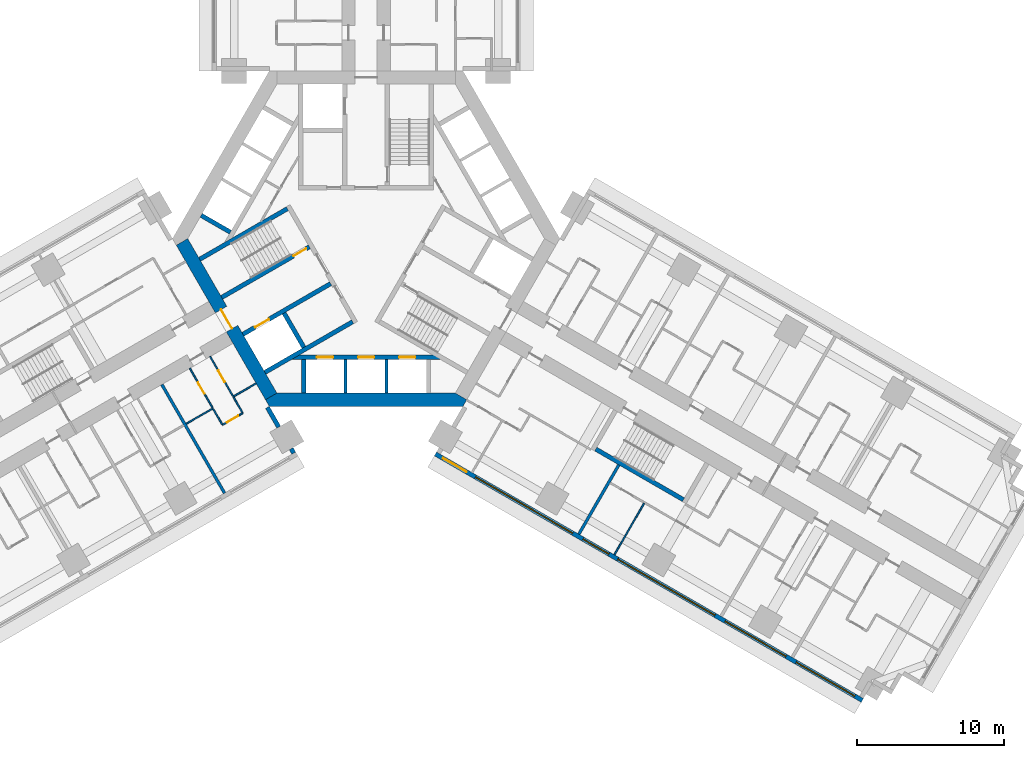
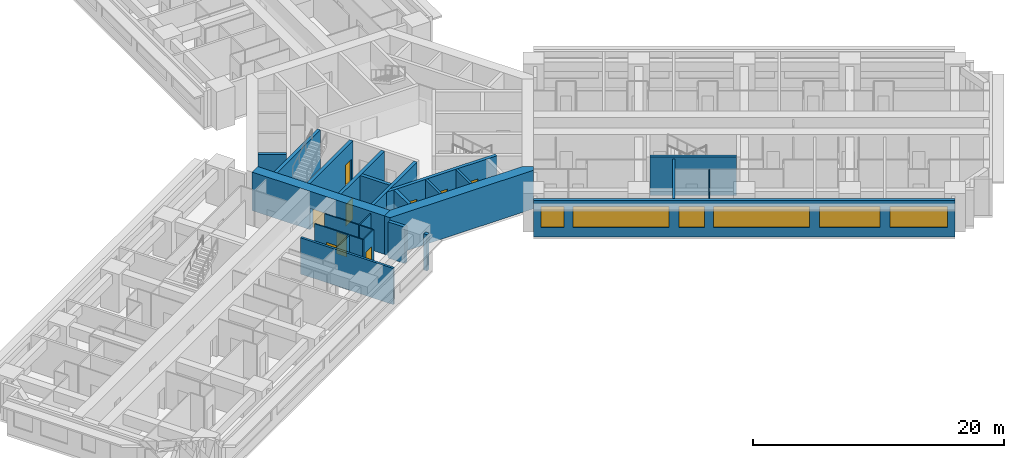
# One storey, part 6 of 17: 26 walls, 9 doors, 6 windows, 15 openings.
"""IFC4 building model written with IfcOpenShell, lengths in metres."""

from ifc_helpers import new_model, si_unit, direction, frame, frame_2d, origin, place, context, subcontext, project, spatial, polyline, rectangle, outline, extrude, material, layer, layer_set, type_object, element, fill, save


model = new_model("IFC4")

# Units and contexts
model_context = context("Model", 3, precision=1e-05, world=origin(), true_north=direction((0.0, 1.0)))
body_context = subcontext(model_context, "Body", "Model", "MODEL_VIEW")
ifc_project = project(units=[si_unit("LENGTHUNIT", "METRE"), si_unit("AREAUNIT", "SQUARE_METRE"), si_unit("VOLUMEUNIT", "CUBIC_METRE"), si_unit("PLANEANGLEUNIT", "RADIAN"), si_unit("MASSUNIT", "GRAM", prefix="KILO")], contexts=[model_context])

# Site, building, storey
site_placement = place(None, origin())
site = spatial("IfcSite", under=ifc_project, at=site_placement, CompositionType="ELEMENT")
building_placement = place(site_placement, origin())
building = spatial("IfcBuilding", under=site, at=building_placement, Name="Impinga Residences", CompositionType="ELEMENT")
storey_placement = place(building_placement, frame((0.0, 0.0, 29.75)))
storey = spatial("IfcBuildingStorey", under=building, at=storey_placement, Name="L06", CompositionType="ELEMENT", Elevation=29.75)

# Wall, openings, windows
ifc_material_1 = material(Name="Terracotta rainscreen on blockwork", Category="masonry")
ifc_layer_1 = layer(ifc_material_1, 0.300048828125)
ifc_layer_set_1 = layer_set([ifc_layer_1], Name="EW1 external wall, terracotta rainscreen on blockwork 300")
wall_type_1 = type_object("IfcWallType", Name="EW1 external wall, terracotta rainscreen on blockwork 300", PredefinedType="SOLIDWALL", material=ifc_layer_set_1)
wall_1_placement = place(storey_placement, frame((33.823486328125, -31.479248046875, 0.0), z_axis=(0.0, 0.0, 1.0), x_axis=(-0.866024291668, 0.500001926238, 0.0)))
wall_1 = element("IfcWall", 1, at=wall_1_placement, inside=storey, type_object=wall_type_1, Name="External wall EW1 L06", PredefinedType="SOLIDWALL", context=body_context, shape_type="SweptSolid", body=[
    extrude(rectangle(XDim=33.599853515625, YDim=0.300048828125, at=frame_2d((16.7998046875, 0.0))), origin(), (0.0, 0.0, 1.0), 3.530029296875),
])
opening_1_placement = place(wall_1_placement, frame((0.60009765625, 0.0, 0.89990234375)))
opening_1 = element("IfcOpeningElement", 2, at=opening_1_placement, cuts=wall_1, Name="Opening W3", PredefinedType="OPENING", context=body_context, shape_type="SweptSolid", body=[
    extrude(rectangle(XDim=4.60009765625, YDim=2.050048828125, at=frame_2d((2.300048828125, 1.02490234375))), frame((0.0, 0.159912109375, 0.0), z_axis=(0.0, -1.0, 0.0), x_axis=(1.0, 0.0, 0.0)), (0.0, 0.0, 1.0), 0.320068359375),
])
opening_2_placement = place(wall_1_placement, frame((6.0, 0.0, 0.89990234375)))
opening_2 = element("IfcOpeningElement", 3, at=opening_2_placement, cuts=wall_1, Name="Opening W8", PredefinedType="OPENING", context=body_context, shape_type="SweptSolid", body=[
    extrude(rectangle(XDim=4.800048828125, YDim=2.050048828125, at=frame_2d((2.39990234375, 1.02490234375))), frame((0.0, 0.159912109375, 0.0), z_axis=(0.0, -1.0, 0.0), x_axis=(1.0, 0.0, 0.0)), (0.0, 0.0, 1.0), 0.320068359375),
])
opening_3_placement = place(wall_1_placement, frame((11.60009765625, 0.0, 0.89990234375)))
opening_3 = element("IfcOpeningElement", 4, at=opening_3_placement, cuts=wall_1, Name="Opening W13", PredefinedType="OPENING", context=body_context, shape_type="SweptSolid", body=[
    extrude(rectangle(XDim=7.64990234375, YDim=2.050048828125, at=frame_2d((3.824951171875, 1.02490234375))), frame((0.0, 0.159912109375, 0.0), z_axis=(0.0, -1.0, 0.0), x_axis=(1.0, 0.0, 0.0)), (0.0, 0.0, 1.0), 0.320068359375),
])
opening_4_placement = place(wall_1_placement, frame((19.949951171875, 0.0, 0.89990234375)))
opening_4 = element("IfcOpeningElement", 5, at=opening_4_placement, cuts=wall_1, Name="Opening W14", PredefinedType="OPENING", context=body_context, shape_type="SweptSolid", body=[
    extrude(rectangle(XDim=2.050048828125, YDim=2.050048828125, at=frame_2d((1.02490234375, 1.02490234375))), frame((0.0, 0.159912109375, 0.0), z_axis=(0.0, -1.0, 0.0), x_axis=(1.0, 0.0, 0.0)), (0.0, 0.0, 1.0), 0.320068359375),
])
opening_5_placement = place(wall_1_placement, frame((22.800048828125, 0.0, 0.89990234375)))
opening_5 = element("IfcOpeningElement", 6, at=opening_5_placement, cuts=wall_1, Name="Opening W13", PredefinedType="OPENING", context=body_context, shape_type="SweptSolid", body=[
    extrude(rectangle(XDim=7.64990234375, YDim=2.050048828125, at=frame_2d((3.824951171875, 1.02490234375))), frame((0.0, 0.159912109375, 0.0), z_axis=(0.0, -1.0, 0.0), x_axis=(1.0, 0.0, 0.0)), (0.0, 0.0, 1.0), 0.320068359375),
])
opening_6_placement = place(wall_1_placement, frame((31.14990234375, 0.0, 0.89990234375)))
opening_6 = element("IfcOpeningElement", 7, at=opening_6_placement, cuts=wall_1, Name="Opening W15", PredefinedType="OPENING", context=body_context, shape_type="SweptSolid", body=[
    extrude(rectangle(XDim=1.85009765625, YDim=2.050048828125, at=frame_2d((0.925048828125, 1.02490234375))), frame((0.0, 0.159912109375, 0.0), z_axis=(0.0, -1.0, 0.0), x_axis=(1.0, 0.0, 0.0)), (0.0, 0.0, 1.0), 0.320068359375),
])
ifc_material_2 = material(Name="Aluminium window, clear double glazing", Category="aluminium")
window_type_1 = type_object("IfcWindowType", Name="W13 ribbon window 7650x2050", PartitioningType="SINGLE_PANEL", PredefinedType="WINDOW", material=ifc_material_2)
window_1_placement = place(opening_3_placement, origin())
window_1 = element("IfcWindow", 8, at=window_1_placement, inside=storey, type_object=window_type_1, Name="Window L06", OverallHeight=2.050048828125, OverallWidth=7.64990234375, PartitioningType="SINGLE_PANEL", PredefinedType="WINDOW", context=body_context, shape_type="SweptSolid", body=[
    extrude(rectangle(XDim=7.64990234375, YDim=2.050048828125, at=frame_2d((3.824951171875, 1.02490234375))), frame((0.0, 0.030029296875, 0.0), z_axis=(0.0, -1.0, 0.0), x_axis=(1.0, 0.0, 0.0)), (0.0, 0.0, 1.0), 0.06005859375),
])
fill(opening_3, window_1)
window_2_placement = place(opening_5_placement, origin())
window_2 = element("IfcWindow", 9, at=window_2_placement, inside=storey, type_object=window_type_1, Name="Window L06", OverallHeight=2.050048828125, OverallWidth=7.64990234375, PartitioningType="SINGLE_PANEL", PredefinedType="WINDOW", context=body_context, shape_type="SweptSolid", body=[
    extrude(rectangle(XDim=7.64990234375, YDim=2.050048828125, at=frame_2d((3.824951171875, 1.02490234375))), frame((0.0, 0.030029296875, 0.0), z_axis=(0.0, -1.0, 0.0), x_axis=(1.0, 0.0, 0.0)), (0.0, 0.0, 1.0), 0.06005859375),
])
fill(opening_5, window_2)
window_type_2 = type_object("IfcWindowType", Name="W14 ribbon window 2050x2050", PartitioningType="SINGLE_PANEL", PredefinedType="WINDOW", material=ifc_material_2)
window_3_placement = place(opening_4_placement, origin())
window_3 = element("IfcWindow", 10, at=window_3_placement, inside=storey, type_object=window_type_2, Name="Window L06", OverallHeight=2.050048828125, OverallWidth=2.050048828125, PartitioningType="SINGLE_PANEL", PredefinedType="WINDOW", context=body_context, shape_type="SweptSolid", body=[
    extrude(rectangle(XDim=2.050048828125, YDim=2.050048828125, at=frame_2d((1.02490234375, 1.02490234375))), frame((0.0, 0.030029296875, 0.0), z_axis=(0.0, -1.0, 0.0), x_axis=(1.0, 0.0, 0.0)), (0.0, 0.0, 1.0), 0.06005859375),
])
fill(opening_4, window_3)
window_type_3 = type_object("IfcWindowType", Name="W15 ribbon window 1850x2050", PartitioningType="SINGLE_PANEL", PredefinedType="WINDOW", material=ifc_material_2)
window_4_placement = place(opening_6_placement, origin())
window_4 = element("IfcWindow", 11, at=window_4_placement, inside=storey, type_object=window_type_3, Name="Window L06", OverallHeight=2.050048828125, OverallWidth=1.85009765625, PartitioningType="SINGLE_PANEL", PredefinedType="WINDOW", context=body_context, shape_type="SweptSolid", body=[
    extrude(rectangle(XDim=1.85009765625, YDim=2.050048828125, at=frame_2d((0.925048828125, 1.02490234375))), frame((0.0, 0.030029296875, 0.0), z_axis=(0.0, -1.0, 0.0), x_axis=(1.0, 0.0, 0.0)), (0.0, 0.0, 1.0), 0.06005859375),
])
fill(opening_6, window_4)
window_type_4 = type_object("IfcWindowType", Name="W3 ribbon window 4600x2050", PartitioningType="SINGLE_PANEL", PredefinedType="WINDOW", material=ifc_material_2)
window_5_placement = place(opening_1_placement, origin())
window_5 = element("IfcWindow", 12, at=window_5_placement, inside=storey, type_object=window_type_4, Name="Window L06", OverallHeight=2.050048828125, OverallWidth=4.60009765625, PartitioningType="SINGLE_PANEL", PredefinedType="WINDOW", context=body_context, shape_type="SweptSolid", body=[
    extrude(rectangle(XDim=4.60009765625, YDim=2.050048828125, at=frame_2d((2.300048828125, 1.02490234375))), frame((0.0, 0.030029296875, 0.0), z_axis=(0.0, -1.0, 0.0), x_axis=(1.0, 0.0, 0.0)), (0.0, 0.0, 1.0), 0.06005859375),
])
fill(opening_1, window_5)
window_type_5 = type_object("IfcWindowType", Name="W8 ribbon window 4800x2050", PartitioningType="SINGLE_PANEL", PredefinedType="WINDOW", material=ifc_material_2)
window_6_placement = place(opening_2_placement, origin())
window_6 = element("IfcWindow", 13, at=window_6_placement, inside=storey, type_object=window_type_5, Name="Window L06", OverallHeight=2.050048828125, OverallWidth=4.800048828125, PartitioningType="SINGLE_PANEL", PredefinedType="WINDOW", context=body_context, shape_type="SweptSolid", body=[
    extrude(rectangle(XDim=4.800048828125, YDim=2.050048828125, at=frame_2d((2.39990234375, 1.02490234375))), frame((0.0, 0.030029296875, 0.0), z_axis=(0.0, -1.0, 0.0), x_axis=(1.0, 0.0, 0.0)), (0.0, 0.0, 1.0), 0.06005859375),
])
fill(opening_2, window_6)

# Walls
wall_2_placement = place(storey_placement, frame((-6.72998046875, -11.506591796875, 0.0), z_axis=(0.0, 0.0, 1.0), x_axis=(0.500086022567, -0.865975732936, 0.0)))
element("IfcWall", 14, at=wall_2_placement, inside=storey, type_object=wall_type_1, Name="External wall EW1 L06", PredefinedType="SOLIDWALL", context=body_context, shape_type="SweptSolid", body=[
    extrude(rectangle(XDim=1.550048828125, YDim=0.300048828125, at=frame_2d((0.77490234375, 0.0))), origin(), (0.0, 0.0, 1.0), 3.530029296875),
])
wall_3_placement = place(storey_placement, frame((-5.10498046875, -14.321044921875, 0.0), z_axis=(0.0, 0.0, 1.0), x_axis=(0.49996389635, -0.866046247233, 0.0)))
element("IfcWall", 15, at=wall_3_placement, inside=storey, type_object=wall_type_1, Name="External wall EW1 L06", PredefinedType="SOLIDWALL", context=body_context, shape_type="SweptSolid", body=[
    extrude(rectangle(XDim=0.35009765625, YDim=0.300048828125, at=frame_2d((0.175048828125, 0.0))), origin(), (0.0, 0.0, 1.0), 3.530029296875),
])
ifc_material_3 = material(Name="Gypsum board on steel studs", Category="steel")
ifc_layer_2 = layer(ifc_material_3, 0.10009765625)
ifc_layer_set_2 = layer_set([ifc_layer_2], Name="Gypsum board on steel studs")
wall_type_2 = type_object("IfcWallType", Name="IP1 partition 100", PredefinedType="PARTITIONING", material=ifc_layer_set_2)
wall_4_placement = place(storey_placement, frame((-7.5, -9.872802734375, 0.0), z_axis=(0.0, 0.0, 1.0), x_axis=(-0.866047807691, -0.499961193289, 0.0)))
element("IfcWall", 16, at=wall_4_placement, inside=storey, type_object=wall_type_2, Name="Partition L06-WA1:DIV0", PredefinedType="PARTITIONING", context=body_context, shape_type="SweptSolid", body=[
    extrude(rectangle(XDim=1.800048828125, YDim=0.10009765625, at=frame_2d((0.89990234375, 0.0))), origin(), (0.0, 0.0, 1.0), 3.530029296875),
])
wall_5_placement = place(storey_placement, frame((-10.444580078125, -11.57275390625, 0.0), z_axis=(0.0, 0.0, 1.0), x_axis=(-0.866009402589, -0.500027713859, 0.0)))
element("IfcWall", 17, at=wall_5_placement, inside=storey, type_object=wall_type_2, Name="Partition L06-WA1:DIV1", PredefinedType="PARTITIONING", context=body_context, shape_type="SweptSolid", body=[
    extrude(rectangle(XDim=2.10009765625, YDim=0.10009765625, at=frame_2d((1.050048828125, 0.0))), origin(), (0.0, 0.0, 1.0), 3.530029296875),
])

# Wall, opening, door
wall_6_placement = place(storey_placement, frame((-8.408935546875, -11.8984375, 0.0), z_axis=(0.0, 0.0, 1.0), x_axis=(-0.865989903783, -0.500061482766, 0.0)))
wall_6 = element("IfcWall", 18, at=wall_6_placement, inside=storey, type_object=wall_type_2, Name="Partition L06-WA1:STRIP", PredefinedType="PARTITIONING", context=body_context, shape_type="SweptSolid", body=[
    extrude(rectangle(XDim=1.599853515625, YDim=0.10009765625, at=frame_2d((0.7998046875, 0.0))), origin(), (0.0, 0.0, 1.0), 3.530029296875),
])
opening_7_placement = place(wall_6_placement, frame((0.35009765625, 0.0, 0.0)))
opening_7 = element("IfcOpeningElement", 19, at=opening_7_placement, cuts=wall_6, Name="Opening D2", PredefinedType="OPENING", context=body_context, shape_type="SweptSolid", body=[
    extrude(rectangle(XDim=0.89990234375, YDim=2.10009765625, at=frame_2d((0.449951171875, 1.050048828125))), frame((0.0, 0.06005859375, 0.0), z_axis=(0.0, -1.0, 0.0), x_axis=(1.0, 0.0, 0.0)), (0.0, 0.0, 1.0), 0.1201171875),
])
ifc_material_4 = material(Name="Timber door set", Category="wood")
door_type_1 = type_object("IfcDoorType", Name="D2 internal door 900x2100", OperationType="SINGLE_SWING_LEFT", PredefinedType="DOOR", material=ifc_material_4)
door_1_placement = place(opening_7_placement, origin())
door_1 = element("IfcDoor", 20, at=door_1_placement, inside=storey, type_object=door_type_1, Name="Apartment L06-WA1 room door", OperationType="SINGLE_SWING_LEFT", OverallHeight=2.10009765625, OverallWidth=0.89990234375, PredefinedType="DOOR", context=body_context, shape_type="SweptSolid", body=[
    extrude(rectangle(XDim=0.89990234375, YDim=2.10009765625, at=frame_2d((0.449951171875, 1.050048828125))), frame((0.0, 0.02490234375, 0.0), z_axis=(0.0, -1.0, 0.0), x_axis=(1.0, 0.0, 0.0)), (0.0, 0.0, 1.0), 0.050048828125),
])
fill(opening_7, door_1)

# Walls
wall_7_placement = place(storey_placement, frame((-9.033935546875, -10.81591796875, 0.0), z_axis=(0.0, 0.0, 1.0), x_axis=(0.500033551112, -0.866006032174, 0.0)))
element("IfcWall", 21, at=wall_7_placement, inside=storey, type_object=wall_type_2, Name="Partition L06-WA1:SE0", PredefinedType="PARTITIONING", context=body_context, shape_type="SweptSolid", body=[
    extrude(rectangle(XDim=1.2001953125, YDim=0.10009765625, at=frame_2d((0.60009765625, 0.0))), origin(), (0.0, 0.0, 1.0), 3.530029296875),
])
wall_8_placement = place(storey_placement, frame((-10.41943359375, -11.615966796875, 0.0), z_axis=(0.0, 0.0, 1.0), x_axis=(0.499880961361, -0.866094119867, 0.0)))
element("IfcWall", 22, at=wall_8_placement, inside=storey, type_object=wall_type_2, Name="Partition L06-WA1:SE1", PredefinedType="PARTITIONING", context=body_context, shape_type="SweptSolid", body=[
    extrude(rectangle(XDim=1.199951171875, YDim=0.10009765625, at=frame_2d((0.60009765625, 0.0))), origin(), (0.0, 0.0, 1.0), 3.530029296875),
])

# Wall, opening, door
wall_9_placement = place(storey_placement, frame((-10.6337890625, -8.044677734375, 0.0), z_axis=(0.0, 0.0, 1.0), x_axis=(0.49999285859, -0.86602952684, 0.0)))
wall_9 = element("IfcWall", 23, at=wall_9_placement, inside=storey, type_object=wall_type_2, Name="Partition L06-WA1:IB1", PredefinedType="PARTITIONING", context=body_context, shape_type="SweptSolid", body=[
    extrude(rectangle(XDim=3.10009765625, YDim=0.10009765625, at=frame_2d((1.550048828125, 0.0))), origin(), (0.0, 0.0, 1.0), 3.530029296875),
])
opening_8_placement = place(wall_9_placement, frame((1.10009765625, 0.0, 0.0)))
opening_8 = element("IfcOpeningElement", 24, at=opening_8_placement, cuts=wall_9, Name="Opening D2", PredefinedType="OPENING", context=body_context, shape_type="SweptSolid", body=[
    extrude(rectangle(XDim=0.89990234375, YDim=2.10009765625, at=frame_2d((0.449951171875, 1.050048828125))), frame((0.0, 0.06005859375, 0.0), z_axis=(0.0, -1.0, 0.0), x_axis=(1.0, 0.0, 0.0)), (0.0, 0.0, 1.0), 0.1201171875),
])
door_2_placement = place(opening_8_placement, origin())
door_2 = element("IfcDoor", 25, at=door_2_placement, inside=storey, type_object=door_type_1, Name="Apartment L06-WA1 bathroom door", OperationType="SINGLE_SWING_LEFT", OverallHeight=2.10009765625, OverallWidth=0.89990234375, PredefinedType="DOOR", context=body_context, shape_type="SweptSolid", body=[
    extrude(rectangle(XDim=0.89990234375, YDim=2.10009765625, at=frame_2d((0.449951171875, 1.050048828125))), frame((0.0, 0.02490234375, 0.0), z_axis=(0.0, -1.0, 0.0), x_axis=(1.0, 0.0, 0.0)), (0.0, 0.0, 1.0), 0.050048828125),
])
fill(opening_8, door_2)

wall_10_placement = place(storey_placement, frame((-12.01953125, -8.8447265625, 0.0), z_axis=(0.0, 0.0, 1.0), x_axis=(0.500026960575, -0.86600983753, 0.0)))
wall_10 = element("IfcWall", 26, at=wall_10_placement, inside=storey, type_object=wall_type_2, Name="Partition L06-WA1:IB2", PredefinedType="PARTITIONING", context=body_context, shape_type="SweptSolid", body=[
    extrude(rectangle(XDim=3.099853515625, YDim=0.10009765625, at=frame_2d((1.5498046875, 0.0))), origin(), (0.0, 0.0, 1.0), 3.530029296875),
])
opening_9_placement = place(wall_10_placement, frame((1.10009765625, 0.0, 0.0)))
opening_9 = element("IfcOpeningElement", 27, at=opening_9_placement, cuts=wall_10, Name="Opening D2", PredefinedType="OPENING", context=body_context, shape_type="SweptSolid", body=[
    extrude(rectangle(XDim=0.89990234375, YDim=2.10009765625, at=frame_2d((0.449951171875, 1.050048828125))), frame((0.0, 0.06005859375, 0.0), z_axis=(0.0, -1.0, 0.0), x_axis=(1.0, 0.0, 0.0)), (0.0, 0.0, 1.0), 0.1201171875),
])
door_3_placement = place(opening_9_placement, origin())
door_3 = element("IfcDoor", 28, at=door_3_placement, inside=storey, type_object=door_type_1, Name="Apartment L06-WA1 WC door", OperationType="SINGLE_SWING_LEFT", OverallHeight=2.10009765625, OverallWidth=0.89990234375, PredefinedType="DOOR", context=body_context, shape_type="SweptSolid", body=[
    extrude(rectangle(XDim=0.89990234375, YDim=2.10009765625, at=frame_2d((0.449951171875, 1.050048828125))), frame((0.0, 0.02490234375, 0.0), z_axis=(0.0, -1.0, 0.0), x_axis=(1.0, 0.0, 0.0)), (0.0, 0.0, 1.0), 0.050048828125),
])
fill(opening_9, door_3)

# Walls
wall_11_placement = place(storey_placement, frame((18.949462890625, -18.041748046875, 0.0), z_axis=(0.0, 0.0, 1.0), x_axis=(-0.50000943426, -0.866019956843, 0.0)))
element("IfcWall", 29, at=wall_11_placement, inside=storey, type_object=wall_type_2, Name="Partition L06-EF2:OB1", PredefinedType="PARTITIONING", context=body_context, shape_type="SweptSolid", body=[
    extrude(rectangle(XDim=4.05029296875, YDim=0.10009765625, at=frame_2d((2.025146484375, 0.0))), origin(), (0.0, 0.0, 1.0), 3.530029296875),
])
ifc_material_5 = material(Name="Concrete blockwork", Category="masonry")
ifc_layer_3 = layer(ifc_material_5, 0.199951171875)
ifc_layer_set_3 = layer_set([ifc_layer_3], Name="PW1 party wall between apartments 200")
wall_type_3 = type_object("IfcWallType", Name="PW1 party wall between apartments 200", PredefinedType="SOLIDWALL", material=ifc_layer_set_3)
wall_12_placement = place(storey_placement, frame((-13.9248046875, -9.94482421875, 0.0), z_axis=(0.0, 0.0, 1.0), x_axis=(0.500024008071, -0.866011542275, 0.0)))
element("IfcWall", 30, at=wall_12_placement, inside=storey, type_object=wall_type_3, Name="Party wall between apartments L06-WA1:PARTY", PredefinedType="SOLIDWALL", context=body_context, shape_type="SweptSolid", body=[
    extrude(rectangle(XDim=8.5498046875, YDim=0.199951171875, at=frame_2d((4.27490234375, 0.0))), origin(), (0.0, 0.0, 1.0), 3.530029296875),
])
wall_13_placement = place(storey_placement, frame((17.224365234375, -15.429443359375, 0.0), z_axis=(0.0, 0.0, 1.0), x_axis=(-0.499988730927, -0.866031909889, 0.0)))
element("IfcWall", 31, at=wall_13_placement, inside=storey, type_object=wall_type_3, Name="Party wall between apartments L06-EF1:PARTY", PredefinedType="SOLIDWALL", context=body_context, shape_type="SweptSolid", body=[
    extrude(rectangle(XDim=5.449951171875, YDim=0.199951171875, at=frame_2d((2.72509765625, 0.0))), origin(), (0.0, 0.0, 1.0), 3.530029296875),
])
ifc_material_6 = material(Name="Concrete C60/75", Category="concrete")
ifc_layer_4 = layer(ifc_material_6, 0.300048828125)
ifc_layer_set_4 = layer_set([ifc_layer_4], Name="Concrete C60/75")
wall_type_4 = type_object("IfcWallType", Name="SE1 wing stair enclosure wall 300", PredefinedType="SOLIDWALL", material=ifc_layer_set_4)
wall_14_placement = place(storey_placement, frame((15.654052734375, -14.349365234375, 0.0), z_axis=(0.0, 0.0, 1.0), x_axis=(0.866013532718, -0.500020560727, 0.0)))
element("IfcWall", 32, at=wall_14_placement, inside=storey, type_object=wall_type_4, Name="Stair enclosure wall SE1 E OUT L06", PredefinedType="SOLIDWALL", context=body_context, shape_type="SweptSolid", body=[
    extrude(rectangle(XDim=6.900146484375, YDim=0.300048828125, at=frame_2d((3.4501953125, 0.0))), origin(), (0.0, 0.0, 1.0), 3.75),
])

# Wall, opening, door
ifc_material_7 = material(Name="Concrete C70/85", Category="concrete")
ifc_layer_5 = layer(ifc_material_7, 0.89990234375)
ifc_layer_set_5 = layer_set([ifc_layer_5], Name="Concrete C70/85")
wall_type_5 = type_object("IfcWallType", Name="SW1 core wall 900", PredefinedType="SHEAR", material=ifc_layer_set_5)
wall_15_placement = place(storey_placement, frame((-6.47021484375, -10.756591796875, 0.0), z_axis=(0.0, 0.0, 1.0), x_axis=(-0.499997612506, 0.8660267822, 0.0)))
wall_15 = element("IfcWall", 33, at=wall_15_placement, inside=storey, type_object=wall_type_5, Name="Core wall SW1 W:FACE L06", PredefinedType="SHEAR", context=body_context, shape_type="SweptSolid", body=[
    extrude(rectangle(XDim=12.16064453125, YDim=0.89990234375, at=frame_2d((6.080322265625, 0.0))), origin(), (0.0, 0.0, 1.0), 3.75),
])
opening_10_placement = place(wall_15_placement, frame((5.330322265625, 0.0, 0.0)))
opening_10 = element("IfcOpeningElement", 34, at=opening_10_placement, cuts=wall_15, Name="Opening D4", PredefinedType="OPENING", context=body_context, shape_type="SweptSolid", body=[
    extrude(rectangle(XDim=1.5, YDim=2.10009765625, at=frame_2d((0.75, 1.050048828125))), frame((0.0, 0.4599609375, 0.0), z_axis=(0.0, -1.0, 0.0), x_axis=(1.0, 0.0, 0.0)), (0.0, 0.0, 1.0), 0.919921875),
])
door_type_2 = type_object("IfcDoorType", Name="D4 lobby door pair 1500x2100", OperationType="DOUBLE_DOOR_DOUBLE_SWING", PredefinedType="DOOR", material=ifc_material_4)
door_4_placement = place(opening_10_placement, origin())
door_4 = element("IfcDoor", 35, at=door_4_placement, inside=storey, type_object=door_type_2, Name="Lobby door W", OperationType="DOUBLE_DOOR_DOUBLE_SWING", OverallHeight=2.10009765625, OverallWidth=1.5, PredefinedType="DOOR", context=body_context, shape_type="SweptSolid", body=[
    extrude(rectangle(XDim=1.5, YDim=2.10009765625, at=frame_2d((0.75, 1.050048828125))), frame((0.0, 0.02490234375, 0.0), z_axis=(0.0, -1.0, 0.0), x_axis=(1.0, 0.0, 0.0)), (0.0, 0.0, 1.0), 0.050048828125),
])
fill(opening_10, door_4)

# Wall
wall_16_placement = place(storey_placement, origin())
element("IfcWall", 36, at=wall_16_placement, inside=storey, type_object=wall_type_5, Name="Core wall SW1 N:EXPOSED L06", PredefinedType="SHEAR", context=body_context, shape_type="SweptSolid", body=[
    extrude(outline(polyline([(-6.60009765625, -11.431640625), (6.60009765625, -11.431640625), (6.85986328125, -10.9814453125), (6.080322265625, -10.531494140625), (-6.080322265625, -10.531494140625), (-6.85986328125, -10.9814453125), (-6.60009765625, -11.431640625)])), origin(), (0.0, 0.0, 1.0), 3.75),
])

# Wall, opening, door
ifc_layer_6 = layer(ifc_material_7, 0.300048828125)
ifc_layer_set_6 = layer_set([ifc_layer_6], Name="Concrete C70/85")
wall_type_6 = type_object("IfcWallType", Name="SW5 core inner wall, stairs, shafts and lobbies 300", PredefinedType="SHEAR", material=ifc_layer_set_6)
wall_17_placement = place(storey_placement, frame((-3.86865234375, -0.559326171875, 0.0), z_axis=(0.0, 0.0, 1.0), x_axis=(-0.86602711848, -0.499997030048, 0.0)))
wall_17 = element("IfcWall", 37, at=wall_17_placement, inside=storey, type_object=wall_type_6, Name="Core wall SW5 W:ST-IN L06", PredefinedType="SHEAR", context=body_context, shape_type="SweptSolid", body=[
    extrude(rectangle(XDim=6.9013671875, YDim=0.300048828125, at=frame_2d((3.45068359375, 0.0))), origin(), (0.0, 0.0, 1.0), 3.75),
])
opening_11_placement = place(wall_17_placement, frame((0.25, 0.0, 0.0)))
opening_11 = element("IfcOpeningElement", 38, at=opening_11_placement, cuts=wall_17, Name="Opening D5", PredefinedType="OPENING", context=body_context, shape_type="SweptSolid", body=[
    extrude(rectangle(XDim=1.0, YDim=2.10009765625, at=frame_2d((0.5, 1.050048828125))), frame((0.0, 0.159912109375, 0.0), z_axis=(0.0, -1.0, 0.0), x_axis=(1.0, 0.0, 0.0)), (0.0, 0.0, 1.0), 0.320068359375),
])
door_type_3 = type_object("IfcDoorType", Name="D5 stair door 1000x2100", OperationType="SINGLE_SWING_LEFT", PredefinedType="DOOR", material=ifc_material_4)
door_5_placement = place(opening_11_placement, origin())
door_5 = element("IfcDoor", 39, at=door_5_placement, inside=storey, type_object=door_type_3, Name="Stair door W", OperationType="SINGLE_SWING_LEFT", OverallHeight=2.10009765625, OverallWidth=1.0, PredefinedType="DOOR", context=body_context, shape_type="SweptSolid", body=[
    extrude(rectangle(XDim=1.0, YDim=2.10009765625, at=frame_2d((0.5, 1.050048828125))), frame((0.0, 0.02490234375, 0.0), z_axis=(0.0, -1.0, 0.0), x_axis=(1.0, 0.0, 0.0)), (0.0, 0.0, 1.0), 0.050048828125),
])
fill(opening_11, door_5)

# Wall
wall_18_placement = place(storey_placement, frame((-5.36865234375, 2.038818359375, 0.0), z_axis=(0.0, 0.0, 1.0), x_axis=(-0.86602711848, -0.499997030048, 0.0)))
element("IfcWall", 40, at=wall_18_placement, inside=storey, type_object=wall_type_6, Name="Core wall SW5 W:ST-OUT L06", PredefinedType="SHEAR", context=body_context, shape_type="SweptSolid", body=[
    extrude(rectangle(XDim=6.9013671875, YDim=0.300048828125, at=frame_2d((3.45068359375, 0.0))), origin(), (0.0, 0.0, 1.0), 3.75),
])

# Wall, opening, door
wall_19_placement = place(storey_placement, frame((-2.418701171875, -3.07080078125, 0.0), z_axis=(0.0, 0.0, 1.0), x_axis=(-0.86602711848, -0.499997030048, 0.0)))
wall_19 = element("IfcWall", 41, at=wall_19_placement, inside=storey, type_object=wall_type_6, Name="Core wall SW5 W:FF-IN L06", PredefinedType="SHEAR", context=body_context, shape_type="SweptSolid", body=[
    extrude(rectangle(XDim=6.9013671875, YDim=0.300048828125, at=frame_2d((3.45068359375, 0.0))), origin(), (0.0, 0.0, 1.0), 3.75),
])
opening_12_placement = place(wall_19_placement, frame((4.85009765625, 0.0, 0.0)))
opening_12 = element("IfcOpeningElement", 42, at=opening_12_placement, cuts=wall_19, Name="Opening LD2", PredefinedType="OPENING", context=body_context, shape_type="SweptSolid", body=[
    extrude(rectangle(XDim=1.10009765625, YDim=2.10009765625, at=frame_2d((0.550048828125, 1.050048828125))), frame((0.0, 0.159912109375, 0.0), z_axis=(0.0, -1.0, 0.0), x_axis=(1.0, 0.0, 0.0)), (0.0, 0.0, 1.0), 0.320068359375),
])
ifc_material_8 = material(Name="Steel lift landing door", Category="steel")
door_type_4 = type_object("IfcDoorType", Name="LD2 firefighting lift landing door 1100x2100", OperationType="DOUBLE_DOOR_SLIDING", PredefinedType="DOOR", material=ifc_material_8)
door_6_placement = place(opening_12_placement, origin())
door_6 = element("IfcDoor", 43, at=door_6_placement, inside=storey, type_object=door_type_4, Name="Firefighting lift landing door F2", OperationType="DOUBLE_DOOR_SLIDING", OverallHeight=2.10009765625, OverallWidth=1.10009765625, PredefinedType="DOOR", context=body_context, shape_type="SweptSolid", body=[
    extrude(rectangle(XDim=1.10009765625, YDim=2.10009765625, at=frame_2d((0.550048828125, 1.050048828125))), frame((0.0, 0.02490234375, 0.0), z_axis=(0.0, -1.0, 0.0), x_axis=(1.0, 0.0, 0.0)), (0.0, 0.0, 1.0), 0.050048828125),
])
fill(opening_12, door_6)

# Walls
wall_20_placement = place(storey_placement, frame((-0.918701171875, -5.668701171875, 0.0), z_axis=(0.0, 0.0, 1.0), x_axis=(-0.866011800373, -0.500023561059, 0.0)))
element("IfcWall", 44, at=wall_20_placement, inside=storey, type_object=wall_type_6, Name="Core wall SW5 W:FF-OUT L06", PredefinedType="SHEAR", context=body_context, shape_type="SweptSolid", body=[
    extrude(rectangle(XDim=6.901611328125, YDim=0.300048828125, at=frame_2d((3.45068359375, 0.0))), origin(), (0.0, 0.0, 1.0), 3.75),
])
wall_21_placement = place(storey_placement, frame((-4.2412109375, -7.413818359375, 0.0), z_axis=(0.0, 0.0, 1.0), x_axis=(-0.500048589285, 0.86599734893, 0.0)))
element("IfcWall", 45, at=wall_21_placement, inside=storey, type_object=wall_type_6, Name="Core wall SW5 W:FF-RS L06", PredefinedType="SHEAR", context=body_context, shape_type="SweptSolid", body=[
    extrude(rectangle(XDim=2.699951171875, YDim=0.300048828125, at=frame_2d((1.35009765625, 0.0))), origin(), (0.0, 0.0, 1.0), 3.75),
])

# Wall, openings, doors
wall_22_placement = place(storey_placement, frame((5.09765625, -8.08154296875, 0.0), z_axis=(0.0, 0.0, 1.0), x_axis=(-1.0, 0.0, 0.0)))
wall_22 = element("IfcWall", 46, at=wall_22_placement, inside=storey, type_object=wall_type_6, Name="Core wall SW5 N:BANK-FRONT L06", PredefinedType="SHEAR", context=body_context, shape_type="SweptSolid", body=[
    extrude(rectangle(XDim=10.1953125, YDim=0.300048828125, at=frame_2d((5.09765625, 0.0))), origin(), (0.0, 0.0, 1.0), 3.75),
])
opening_13_placement = place(wall_22_placement, frame((1.74755859375, 0.0, 0.0)))
opening_13 = element("IfcOpeningElement", 47, at=opening_13_placement, cuts=wall_22, Name="Opening LD1", PredefinedType="OPENING", context=body_context, shape_type="SweptSolid", body=[
    extrude(rectangle(XDim=1.10009765625, YDim=2.10009765625, at=frame_2d((0.550048828125, 1.050048828125))), frame((0.0, 0.159912109375, 0.0), z_axis=(0.0, -1.0, 0.0), x_axis=(1.0, 0.0, 0.0)), (0.0, 0.0, 1.0), 0.320068359375),
])
opening_14_placement = place(wall_22_placement, frame((4.547607421875, 0.0, 0.0)))
opening_14 = element("IfcOpeningElement", 48, at=opening_14_placement, cuts=wall_22, Name="Opening LD1", PredefinedType="OPENING", context=body_context, shape_type="SweptSolid", body=[
    extrude(rectangle(XDim=1.10009765625, YDim=2.10009765625, at=frame_2d((0.550048828125, 1.050048828125))), frame((0.0, 0.159912109375, 0.0), z_axis=(0.0, -1.0, 0.0), x_axis=(1.0, 0.0, 0.0)), (0.0, 0.0, 1.0), 0.320068359375),
])
opening_15_placement = place(wall_22_placement, frame((7.34765625, 0.0, 0.0)))
opening_15 = element("IfcOpeningElement", 49, at=opening_15_placement, cuts=wall_22, Name="Opening LD1", PredefinedType="OPENING", context=body_context, shape_type="SweptSolid", body=[
    extrude(rectangle(XDim=1.10009765625, YDim=2.10009765625, at=frame_2d((0.550048828125, 1.050048828125))), frame((0.0, 0.159912109375, 0.0), z_axis=(0.0, -1.0, 0.0), x_axis=(1.0, 0.0, 0.0)), (0.0, 0.0, 1.0), 0.320068359375),
])
door_type_5 = type_object("IfcDoorType", Name="LD1 passenger lift landing door 1100x2100", OperationType="DOUBLE_DOOR_SLIDING", PredefinedType="DOOR", material=ifc_material_8)
door_7_placement = place(opening_13_placement, origin())
door_7 = element("IfcDoor", 50, at=door_7_placement, inside=storey, type_object=door_type_5, Name="Lift landing door P1", OperationType="DOUBLE_DOOR_SLIDING", OverallHeight=2.10009765625, OverallWidth=1.10009765625, PredefinedType="DOOR", context=body_context, shape_type="SweptSolid", body=[
    extrude(rectangle(XDim=1.10009765625, YDim=2.10009765625, at=frame_2d((0.550048828125, 1.050048828125))), frame((0.0, 0.02490234375, 0.0), z_axis=(0.0, -1.0, 0.0), x_axis=(1.0, 0.0, 0.0)), (0.0, 0.0, 1.0), 0.050048828125),
])
fill(opening_13, door_7)
door_8_placement = place(opening_14_placement, origin())
door_8 = element("IfcDoor", 51, at=door_8_placement, inside=storey, type_object=door_type_5, Name="Lift landing door P2", OperationType="DOUBLE_DOOR_SLIDING", OverallHeight=2.10009765625, OverallWidth=1.10009765625, PredefinedType="DOOR", context=body_context, shape_type="SweptSolid", body=[
    extrude(rectangle(XDim=1.10009765625, YDim=2.10009765625, at=frame_2d((0.550048828125, 1.050048828125))), frame((0.0, 0.02490234375, 0.0), z_axis=(0.0, -1.0, 0.0), x_axis=(1.0, 0.0, 0.0)), (0.0, 0.0, 1.0), 0.050048828125),
])
fill(opening_14, door_8)
door_9_placement = place(opening_15_placement, origin())
door_9 = element("IfcDoor", 52, at=door_9_placement, inside=storey, type_object=door_type_5, Name="Lift landing door P3", OperationType="DOUBLE_DOOR_SLIDING", OverallHeight=2.10009765625, OverallWidth=1.10009765625, PredefinedType="DOOR", context=body_context, shape_type="SweptSolid", body=[
    extrude(rectangle(XDim=1.10009765625, YDim=2.10009765625, at=frame_2d((0.550048828125, 1.050048828125))), frame((0.0, 0.02490234375, 0.0), z_axis=(0.0, -1.0, 0.0), x_axis=(1.0, 0.0, 0.0)), (0.0, 0.0, 1.0), 0.050048828125),
])
fill(opening_15, door_9)

# Walls
for number, where, z_axis, x_axis, name in (
    (53, (-4.25, -8.2314453125, 0.0), (0.0, 0.0, 1.0), (0.0, -1.0, 0.0), "Core wall SW5 N:BANK-R L06"),
    (54, (-9.253662109375, 0.43505859375, 0.0), (0.0, 0.0, 1.0), (-0.866007057882, 0.500031774688, 0.0), "Core wall SW5 E:BANK-L L06"),
):
    element("IfcWall", number, at=place(storey_placement, frame(where, z_axis=z_axis, x_axis=x_axis)), inside=storey, type_object=wall_type_6, Name=name, PredefinedType="SHEAR", context=body_context, shape_type="SweptSolid", body=[
        extrude(rectangle(XDim=2.300048828125, YDim=0.300048828125, at=frame_2d((1.14990234375, 0.0))), origin(), (0.0, 0.0, 1.0), 3.75),
    ])
ifc_layer_7 = layer(ifc_material_7, 0.199951171875)
ifc_layer_set_7 = layer_set([ifc_layer_7], Name="Concrete C70/85")
wall_type_7 = type_object("IfcWallType", Name="SW6 lift shaft divider wall 200", PredefinedType="SHEAR", material=ifc_layer_set_7)
for number, where, z_axis, x_axis, name in (
    (55, (1.39990234375, -8.2314453125, 0.0), (0.0, 0.0, 1.0), (0.0, -1.0, 0.0), "Core wall SW6 N:BANK-D1 L06"),
    (56, (-1.39990234375, -8.2314453125, 0.0), (0.0, 0.0, 1.0), (0.0, -1.0, 0.0), "Core wall SW6 N:BANK-D2 L06"),
):
    element("IfcWall", number, at=place(storey_placement, frame(where, z_axis=z_axis, x_axis=x_axis)), inside=storey, type_object=wall_type_7, Name=name, PredefinedType="SHEAR", context=body_context, shape_type="SweptSolid", body=[
        extrude(rectangle(XDim=2.300048828125, YDim=0.199951171875, at=frame_2d((1.14990234375, 0.0))), origin(), (0.0, 0.0, 1.0), 3.75),
    ])

save(model, "model.ifc")
